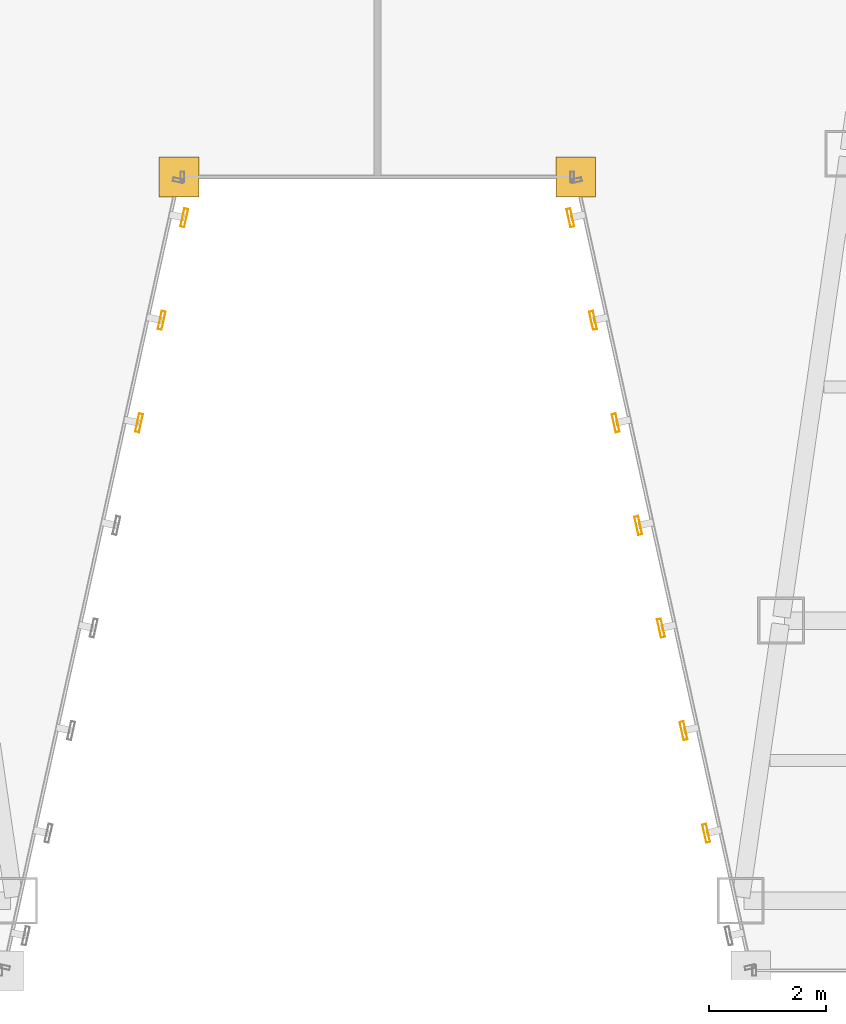
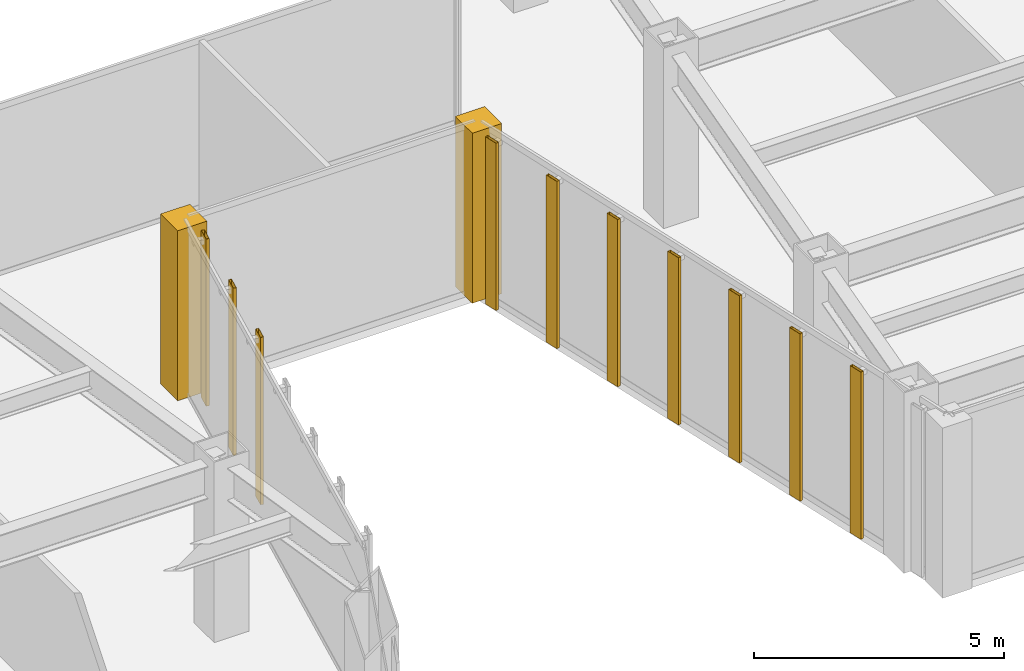
# One storey, part 42 of 47: 10 shading devices, 2 coverings.
"""IFC4 building model written with IfcOpenShell, lengths in metres."""

from ifc_helpers import new_model, si_unit, direction, frame, origin, origin_2d, place, context, subcontext, project, spatial, polyline, hollow_rectangle, outline, extrude, material, layer, layer_set, material_profile, profile_set, type_object, element, save


model = new_model("IFC4")

# Units and contexts
model_context = context("Model", 3, precision=1e-05, world=origin(), true_north=direction((0.0, 1.0)))
body_context = subcontext(model_context, "Body", "Model", "MODEL_VIEW")
ifc_project = project(units=[si_unit("LENGTHUNIT", "METRE"), si_unit("AREAUNIT", "SQUARE_METRE"), si_unit("VOLUMEUNIT", "CUBIC_METRE"), si_unit("PLANEANGLEUNIT", "RADIAN"), si_unit("MASSUNIT", "GRAM", prefix="KILO")], contexts=[model_context])

# Site, building, storey
site_placement = place(None, origin())
site = spatial("IfcSite", under=ifc_project, at=site_placement, CompositionType="ELEMENT")
building_placement = place(site_placement, origin())
building = spatial("IfcBuilding", under=site, at=building_placement, Name="Saevonmaru Cultural Tower", CompositionType="ELEMENT")
storey_placement = place(building_placement, frame((0.0, 0.0, 47.199951171875)))
storey = spatial("IfcBuildingStorey", under=building, at=storey_placement, Name="L09", CompositionType="ELEMENT", Elevation=47.199951171875)

# Coverings
ifc_material = material(Name="Satin Bronze Anodised Aluminium", Category="aluminium")
ifc_layer = layer(ifc_material, 0.679931640625, Name="Satin Bronze Anodised Aluminium")
ifc_layer_set = layer_set([ifc_layer], Name="Satin Bronze Anodised Aluminium")
covering_type = type_object("IfcCoveringType", Name="CV-CORNER-CLAD", PredefinedType="CLADDING", material=ifc_layer_set)
covering_1_placement = place(storey_placement, origin())
element("IfcCovering", 1, at=covering_1_placement, inside=storey, type_object=covering_type, Name="L09 Tower Bronze Corner Cladding Pier 4", PredefinedType="CLADDING", context=body_context, shape_type="SweptSolid", body=[
    extrude(outline(polyline([(26.260009765625, 15.260009765625), (26.93994140625, 15.260009765625), (26.93994140625, 15.93994140625), (26.260009765625, 15.93994140625), (26.260009765625, 15.260009765625)])), origin(), (0.0, 0.0, 1.0), 4.150146484375),
])
covering_2_placement = place(storey_placement, origin())
element("IfcCovering", 2, at=covering_2_placement, inside=storey, type_object=covering_type, Name="L09 Tower Bronze Corner Cladding Pier 5", PredefinedType="CLADDING", context=body_context, shape_type="SweptSolid", body=[
    extrude(outline(polyline([(33.06005859375, 15.260009765625), (33.739990234375, 15.260009765625), (33.739990234375, 15.93994140625), (33.06005859375, 15.93994140625), (33.06005859375, 15.260009765625)])), origin(), (0.0, 0.0, 1.0), 4.150146484375),
])

# Shading devices
ifc_material_profile = material_profile(ifc_material, hollow_rectangle(XDim=0.070068359375, YDim=0.320068359375, WallThickness=0.0048828125, at=origin_2d()), Name="FIN-320x70")
ifc_profile_set = profile_set([ifc_material_profile], Name="Satin Bronze Anodised Aluminium")
shading_device_type = type_object("IfcShadingDeviceType", Name="SHD-FIN-320", PredefinedType="JALOUSIE", material=ifc_profile_set)
for number, where, z_axis, x_axis, name in (
    (3, (25.916015625, 11.385009765625, 0.050048828125), (0.0, 0.0, 1.0), (0.976522126798, -0.215417120661, 0.0), "L09 Art Deco Sawtooth Bronze Fin E3-06"),
    (4, (26.3037109375, 13.142578125, 0.050048828125), (0.0, 0.0, 1.0), (0.976522126798, -0.215417120661, 0.0), "L09 Art Deco Sawtooth Bronze Fin E3-07"),
    (5, (26.69140625, 14.900390625, 0.050048828125), (0.0, 0.0, 1.0), (0.976522126798, -0.215417120661, 0.0), "L09 Art Deco Sawtooth Bronze Fin E3-08"),
    (6, (33.30859375, 14.900390625, 0.050048828125), (0.0, 0.0, 1.0), (-0.976522126798, -0.215417120661, 0.0), "L09 Art Deco Sawtooth Bronze Fin E5-01"),
    (7, (33.6962890625, 13.142578125, 0.050048828125), (0.0, 0.0, 1.0), (-0.976522126798, -0.215417120661, 0.0), "L09 Art Deco Sawtooth Bronze Fin E5-02"),
    (8, (34.083984375, 11.385009765625, 0.050048828125), (0.0, 0.0, 1.0), (-0.976522126798, -0.215417120661, 0.0), "L09 Art Deco Sawtooth Bronze Fin E5-03"),
    (9, (34.4716796875, 9.627197265625, 0.050048828125), (0.0, 0.0, 1.0), (-0.976522126798, -0.215417120661, 0.0), "L09 Art Deco Sawtooth Bronze Fin E5-04"),
    (10, (34.859619140625, 7.869384765625, 0.050048828125), (0.0, 0.0, 1.0), (-0.976522126798, -0.215417120661, 0.0), "L09 Art Deco Sawtooth Bronze Fin E5-05"),
    (11, (35.247314453125, 6.11181640625, 0.050048828125), (0.0, 0.0, 1.0), (-0.976522126798, -0.215417120661, 0.0), "L09 Art Deco Sawtooth Bronze Fin E5-06"),
    (12, (35.635009765625, 4.35400390625, 0.050048828125), (0.0, 0.0, 1.0), (-0.976522126798, -0.215417120661, 0.0), "L09 Art Deco Sawtooth Bronze Fin E5-07"),
):
    element("IfcShadingDevice", number, at=place(storey_placement, frame(where, z_axis=z_axis, x_axis=x_axis)), inside=storey, type_object=shading_device_type, Name=name, PredefinedType="JALOUSIE", context=body_context, shape_type="SweptSolid", body=[
        extrude(hollow_rectangle(XDim=0.070068359375, YDim=0.320068359375, WallThickness=0.0048828125, at=origin_2d()), origin(), (0.0, 0.0, 1.0), 4.080078125),
    ])

save(model, "model.ifc")
